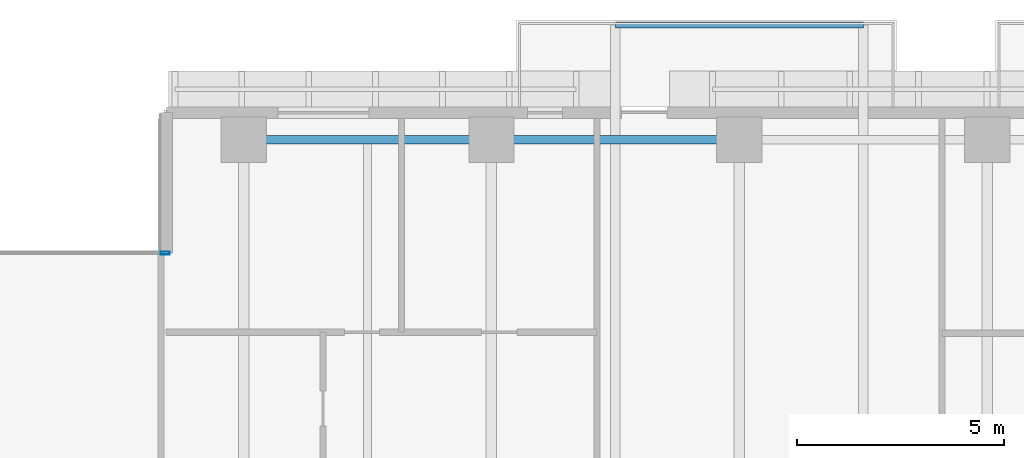
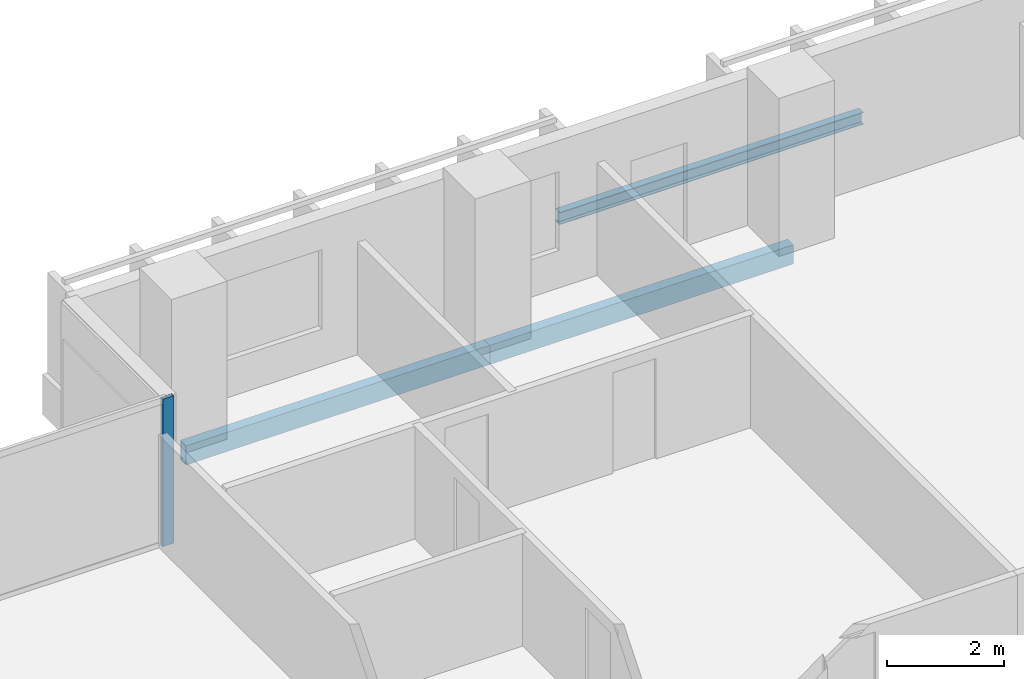
# One storey, part 11 of 34: 3 beams, 1 member, 1 element without a shape of its own.
"""IFC4 building model written with IfcOpenShell, lengths in metres."""

from ifc_helpers import new_model, si_unit, direction, frame, origin, origin_2d, place, context, subcontext, project, spatial, hollow_rectangle, i_section, extrude, material, layer, layer_set, material_profile, profile_set, type_object, element, aggregate, save


model = new_model("IFC4")

# Units and contexts
model_context = context("Model", 3, precision=1e-05, world=origin(), true_north=direction((0.0, 1.0)))
body_context = subcontext(model_context, "Body", "Model", "MODEL_VIEW")
ifc_project = project(units=[si_unit("LENGTHUNIT", "METRE"), si_unit("AREAUNIT", "SQUARE_METRE"), si_unit("VOLUMEUNIT", "CUBIC_METRE"), si_unit("PLANEANGLEUNIT", "RADIAN"), si_unit("MASSUNIT", "GRAM", prefix="KILO")], contexts=[model_context])

# Site, building, storey
site_placement = place(None, origin())
site = spatial("IfcSite", under=ifc_project, at=site_placement, CompositionType="ELEMENT")
building_placement = place(site_placement, origin())
building = spatial("IfcBuilding", under=site, at=building_placement, Name="Tanjung Sevakor Pilgrim Tower", CompositionType="ELEMENT")
storey_placement = place(building_placement, frame((0.0, 0.0, 55.43994140625)))
storey = spatial("IfcBuildingStorey", under=building, at=storey_placement, Name="L15", CompositionType="ELEMENT", Elevation=55.43994140625)

# Beams
ifc_material_1 = material(Name="Steel S355J2", Category="steel")
ifc_material_profile_1 = material_profile(ifc_material_1, i_section(OverallWidth=0.146484375, OverallDepth=0.256103515625, WebThickness=0.00634765625, FlangeThickness=0.010986328125, FilletRadius=0.007568359375, at=origin_2d()))
ifc_profile_set_1 = profile_set([ifc_material_profile_1], Name="Steel S355J2")
beam_type_1 = type_object("IfcBeamType", Name="BM-B-J6-UB_254x146x37", PredefinedType="JOIST", material=ifc_profile_set_1)
beam_placement = place(storey_placement, frame((63.0, 61.580078125, -0.327880859375), z_axis=(1.0, 0.0, 0.0), x_axis=(0.0, 1.0, 0.0)))
element("IfcBeam", 1, at=beam_placement, inside=storey, type_object=beam_type_1, Name="L15 Balcony Rim Tie MAIN-N2", PredefinedType="JOIST", context=body_context, shape_type="SweptSolid", body=[
    extrude(i_section(OverallWidth=0.146484375, OverallDepth=0.256103515625, WebThickness=0.00634765625, FlangeThickness=0.010986328125, FilletRadius=0.007568359375, at=origin_2d()), origin(), (0.0, 0.0, 1.0), 6.0),
])
ifc_material_2 = material(Name="Steel S355J2", Category="steel")
ifc_material_profile_2 = material_profile(ifc_material_2, hollow_rectangle(XDim=0.199951171875, YDim=0.39990234375, WallThickness=0.01611328125, at=origin_2d()))
ifc_profile_set_2 = profile_set([ifc_material_profile_2], Name="Steel S355J2")
beam_type_2 = type_object("IfcBeamType", Name="BM-B-SP2-RHS_400x200x16", PredefinedType="SPANDREL", material=ifc_profile_set_2)
for number, where, z_axis, x_axis, name in (
    (2, (54.0, 58.800048828125, -0.419921875), (1.0, 0.0, 0.0), (0.0, 1.0, 0.0), "L15 Spandrel MAIN N-08"),
    (3, (60.0, 58.800048828125, -0.419921875), (1.0, 0.0, 0.0), (0.0, 1.0, 0.0), "L15 Spandrel MAIN N-10"),
):
    element("IfcBeam", number, at=place(storey_placement, frame(where, z_axis=z_axis, x_axis=x_axis)), inside=storey, type_object=beam_type_2, Name=name, PredefinedType="SPANDREL", context=body_context, shape_type="SweptSolid", body=[
        extrude(hollow_rectangle(XDim=0.199951171875, YDim=0.39990234375, WallThickness=0.01611328125, at=origin_2d()), origin(), (0.0, 0.0, 1.0), 6.0),
    ])

# Curtain wall, member
ifc_material_3 = material(Name="Aluminium 6063-T6 and Low-E Glass", Category="aluminium")
ifc_layer = layer(ifc_material_3, 0.179931640625)
ifc_layer_set = layer_set([ifc_layer], Name="CW-SYS-CLEFT")
curtain_wall_type = type_object("IfcCurtainWallType", Name="CW-SYS-CLEFT", PredefinedType="NOTDEFINED", material=ifc_layer_set)
curtain_wall_placement = place(storey_placement, origin())
curtain_wall = element("IfcCurtainWall", 4, at=curtain_wall_placement, inside=storey, type_object=curtain_wall_type, Name="L15 Curtain Wall CW-CLF-L15-10", PredefinedType="NOTDEFINED")
ifc_material_4 = material(Name="Aluminium 6063-T6", Category="aluminium")
ifc_material_profile_3 = material_profile(ifc_material_4, hollow_rectangle(XDim=0.074951171875, YDim=0.219970703125, WallThickness=0.0048828125, at=origin_2d()))
ifc_profile_set_3 = profile_set([ifc_material_profile_3], Name="Aluminium 6063-T6")
member_type = type_object("IfcMemberType", Name="TYPE-CWM-2", PredefinedType="MULLION", material=ifc_profile_set_3)
member_placement = place(storey_placement, frame((52.1025390625, 56.06005859375, 0.0), z_axis=(0.0, 0.0, 1.0), x_axis=(0.0, -1.0, 0.0)))
member = element("IfcMember", 5, at=member_placement, type_object=member_type, Name="CW-CLF mullion 1", PredefinedType="MULLION", context=body_context, shape_type="SweptSolid", body=[
    extrude(hollow_rectangle(XDim=0.074951171875, YDim=0.219970703125, WallThickness=0.0048828125, at=origin_2d()), origin(), (0.0, 0.0, 1.0), 3.080078125),
])
aggregate(curtain_wall, [member])

save(model, "model.ifc")
